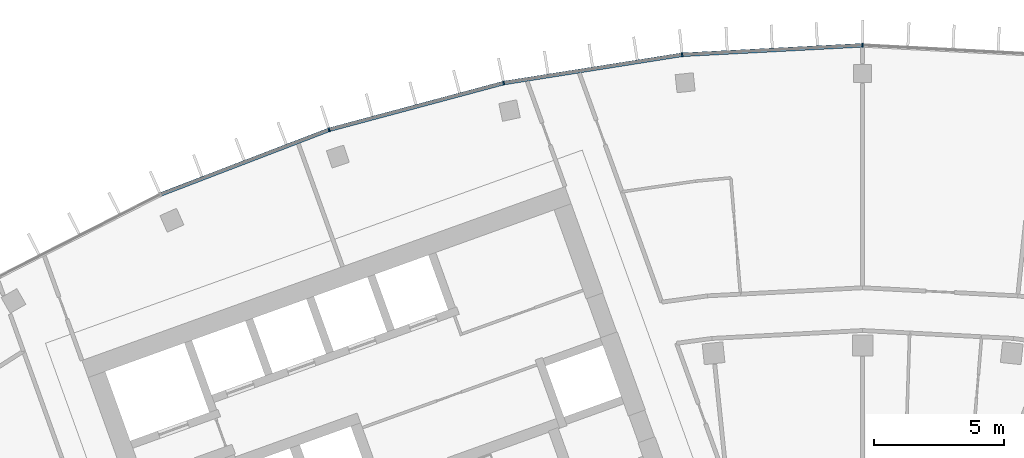
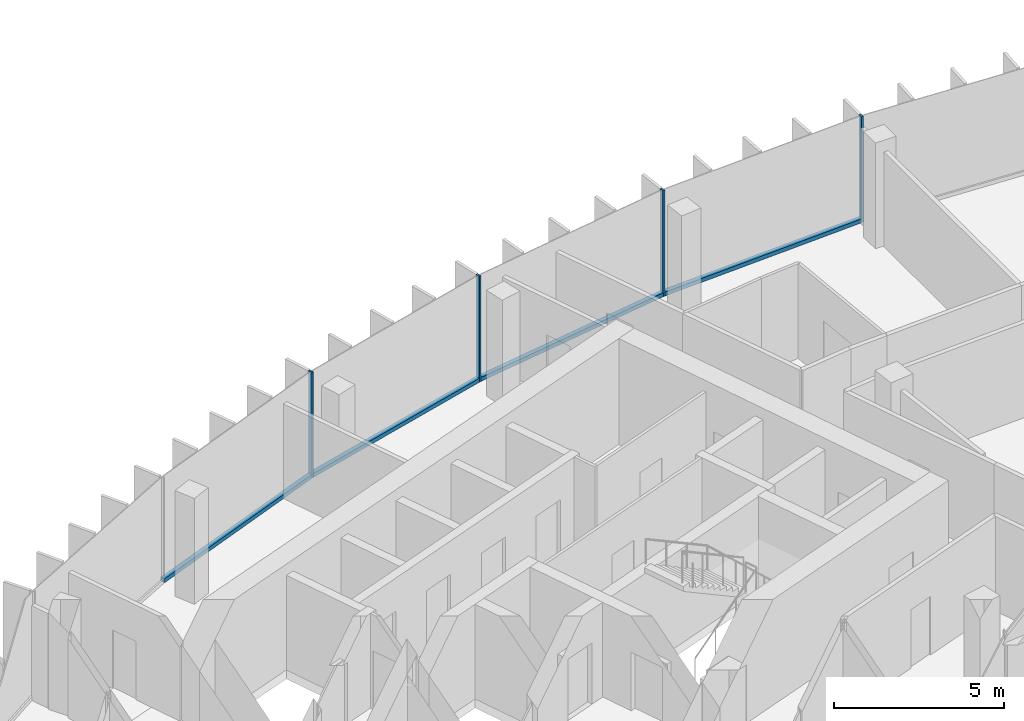
# One storey, part 6 of 19: 8 members, 1 element without a shape of its own.
"""IFC4 building model written with IfcOpenShell, lengths in metres."""

from ifc_helpers import new_model, si_unit, direction, frame, origin, origin_2d, place, context, subcontext, project, spatial, rectangle, extrude, material, layer, layer_set, material_profile, profile_set, type_object, element, aggregate, save


model = new_model("IFC4")

# Units and contexts
model_context = context("Model", 3, precision=1e-05, world=origin(), true_north=direction((0.0, 1.0)))
body_context = subcontext(model_context, "Body", "Model", "MODEL_VIEW")
ifc_project = project(units=[si_unit("LENGTHUNIT", "METRE"), si_unit("AREAUNIT", "SQUARE_METRE"), si_unit("VOLUMEUNIT", "CUBIC_METRE"), si_unit("PLANEANGLEUNIT", "RADIAN"), si_unit("MASSUNIT", "GRAM", prefix="KILO")], contexts=[model_context])

# Site, building, storey
site_placement = place(None, origin())
site = spatial("IfcSite", under=ifc_project, at=site_placement, CompositionType="ELEMENT")
building_placement = place(site_placement, origin())
building = spatial("IfcBuilding", under=site, at=building_placement, Name="Stone Belt Terrace Tower", CompositionType="ELEMENT")
storey_placement = place(building_placement, frame((0.0, 0.0, 303.60009765625)))
storey = spatial("IfcBuildingStorey", under=building, at=storey_placement, Name="L74", CompositionType="ELEMENT", Elevation=303.60009765625)

# Curtain wall, members
ifc_material = material(Name="Aluminium 6063-T6 anodised frame", Category="aluminium")
ifc_layer = layer(ifc_material, 0.14990234375)
ifc_layer_set = layer_set([ifc_layer], Name="CW-A unitised convex-face curtain wall")
curtain_wall_type = type_object("IfcCurtainWallType", Name="CW-A unitised convex-face curtain wall", PredefinedType="NOTDEFINED", material=ifc_layer_set)
curtain_wall_placement = place(storey_placement, origin())
curtain_wall = element("IfcCurtainWall", 1, at=curtain_wall_placement, inside=storey, type_object=curtain_wall_type, Name="CW-A convex face L74", PredefinedType="NOTDEFINED")
ifc_material_profile_1 = material_profile(ifc_material, rectangle(XDim=0.14990234375, YDim=0.06005859375, at=origin_2d()), Name="Aluminium 6063-T6 60x150")
ifc_profile_set_1 = profile_set([ifc_material_profile_1], Name="Aluminium 6063-T6 anodised frame")
member_type_1 = type_object("IfcMemberType", Name="CW-A mullion 60 x 150", PredefinedType="MULLION", material=ifc_profile_set_1)
member_1_placement = place(storey_placement, frame((0.0, 66.5751953125, 0.0), z_axis=(0.0, 0.0, 1.0), x_axis=(0.0, -1.0, 0.0)))
member_1 = element("IfcMember", 2, at=member_1_placement, type_object=member_type_1, Name="CW-A mullion 8", PredefinedType="MULLION", context=body_context, shape_type="SweptSolid", body=[
    extrude(rectangle(XDim=0.14990234375, YDim=0.06005859375, at=origin_2d()), origin(), (0.0, 0.0, 1.0), 3.7998046875),
])
member_2_placement = place(storey_placement, frame((-6.958984375, 66.21044921875, 0.0), z_axis=(0.0, 0.0, 1.0), x_axis=(0.104528463268, -0.994521895368, 0.0)))
member_2 = element("IfcMember", 3, at=member_2_placement, type_object=member_type_1, Name="CW-A mullion 9", PredefinedType="MULLION", context=body_context, shape_type="SweptSolid", body=[
    extrude(rectangle(XDim=0.14990234375, YDim=0.06005859375, at=origin_2d()), origin(), (0.0, 0.0, 1.0), 3.7998046875),
])
member_3_placement = place(storey_placement, frame((-13.841796875, 65.120361328125, 0.0), z_axis=(0.0, 0.0, 1.0), x_axis=(0.207911690818, -0.978147600734, 0.0)))
member_3 = element("IfcMember", 4, at=member_3_placement, type_object=member_type_1, Name="CW-A mullion 10", PredefinedType="MULLION", context=body_context, shape_type="SweptSolid", body=[
    extrude(rectangle(XDim=0.14990234375, YDim=0.06005859375, at=origin_2d()), origin(), (0.0, 0.0, 1.0), 3.7998046875),
])
member_4_placement = place(storey_placement, frame((-20.57275390625, 63.316650390625, 0.0), z_axis=(0.0, 0.0, 1.0), x_axis=(0.309016994375, -0.951056516295, 0.0)))
member_4 = element("IfcMember", 5, at=member_4_placement, type_object=member_type_1, Name="CW-A mullion 11", PredefinedType="MULLION", context=body_context, shape_type="SweptSolid", body=[
    extrude(rectangle(XDim=0.14990234375, YDim=0.06005859375, at=origin_2d()), origin(), (0.0, 0.0, 1.0), 3.7998046875),
])
ifc_material_profile_2 = material_profile(ifc_material, rectangle(XDim=0.14990234375, YDim=0.139892578125, at=origin_2d()), Name="Aluminium 6063-T6 150x140")
ifc_profile_set_2 = profile_set([ifc_material_profile_2], Name="Aluminium 6063-T6 anodised frame")
member_type_2 = type_object("IfcMemberType", Name="CW-A transom 140 x 150", PredefinedType="USERDEFINED", material=ifc_profile_set_2)
member_5_placement = place(storey_placement, frame((-0.033935546875, 66.5732421875, 0.06982421875), z_axis=(-0.998630019135, -0.052326712899, 0.0), x_axis=(0.052326712899, -0.998630019135, 0.0)))
member_5 = element("IfcMember", 6, at=member_5_placement, type_object=member_type_2, Name="CW-A transom 8.1", ObjectType="TRANSOM", PredefinedType="USERDEFINED", context=body_context, shape_type="SweptSolid", body=[
    extrude(rectangle(XDim=0.14990234375, YDim=0.139892578125, at=origin_2d()), origin(), (0.0, 0.0, 1.0), 6.900634765625),
])
member_6_placement = place(storey_placement, frame((-6.992431640625, 66.205078125, 0.06982421875), z_axis=(-0.987687120531, -0.156442168027, 0.0), x_axis=(0.156442168027, -0.987687120531, 0.0)))
member_6 = element("IfcMember", 7, at=member_6_placement, type_object=member_type_2, Name="CW-A transom 9.1", ObjectType="TRANSOM", PredefinedType="USERDEFINED", context=body_context, shape_type="SweptSolid", body=[
    extrude(rectangle(XDim=0.14990234375, YDim=0.139892578125, at=origin_2d()), origin(), (0.0, 0.0, 1.0), 6.90087890625),
])
member_7_placement = place(storey_placement, frame((-13.87451171875, 65.111572265625, 0.06982421875), z_axis=(-0.965921835863, -0.258833937117, 0.0), x_axis=(0.258833937117, -0.965921835863, 0.0)))
member_7 = element("IfcMember", 8, at=member_7_placement, type_object=member_type_2, Name="CW-A transom 10.1", ObjectType="TRANSOM", PredefinedType="USERDEFINED", context=body_context, shape_type="SweptSolid", body=[
    extrude(rectangle(XDim=0.14990234375, YDim=0.139892578125, at=origin_2d()), origin(), (0.0, 0.0, 1.0), 6.900634765625),
])
member_8_placement = place(storey_placement, frame((-20.6044921875, 63.304443359375, 0.06982421875), z_axis=(-0.933585210269, -0.358355487146, 0.0), x_axis=(0.358355487146, -0.933585210269, 0.0)))
member_8 = element("IfcMember", 9, at=member_8_placement, type_object=member_type_2, Name="CW-A transom 11.1", ObjectType="TRANSOM", PredefinedType="USERDEFINED", context=body_context, shape_type="SweptSolid", body=[
    extrude(rectangle(XDim=0.14990234375, YDim=0.139892578125, at=origin_2d()), origin(), (0.0, 0.0, 1.0), 6.900634765625),
])
aggregate(curtain_wall, [member_1, member_2, member_3, member_4, member_5, member_6, member_7, member_8])

save(model, "model.ifc")
